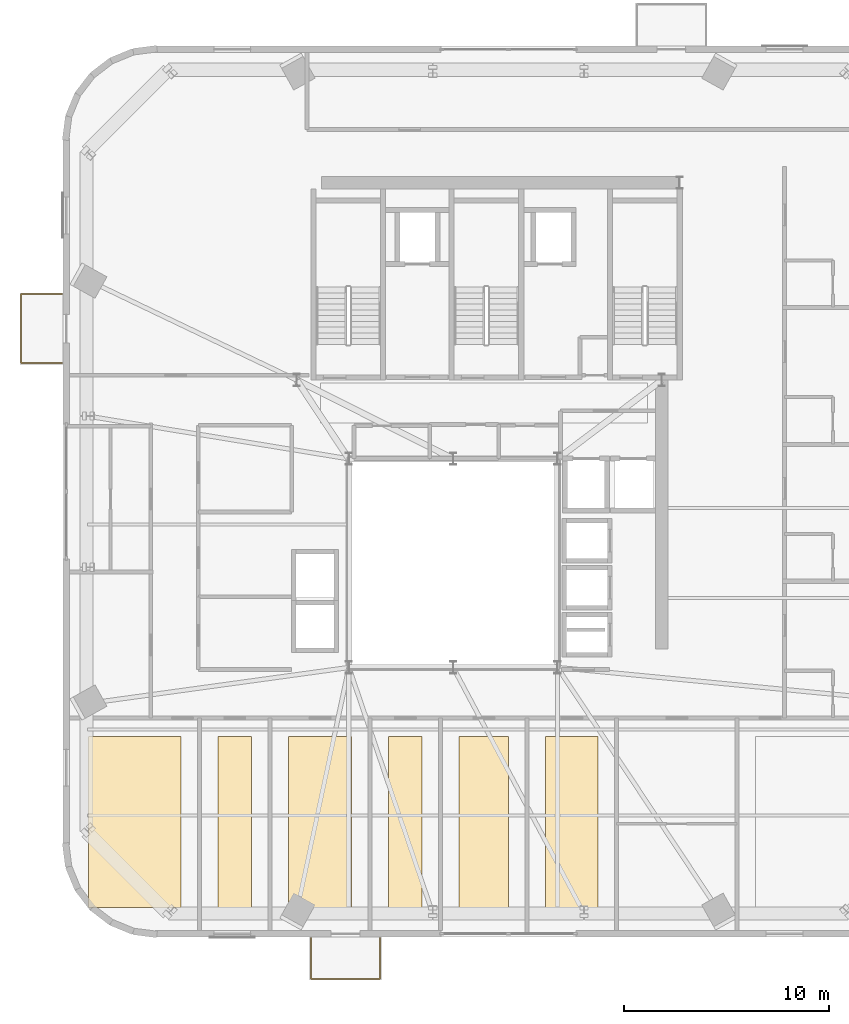
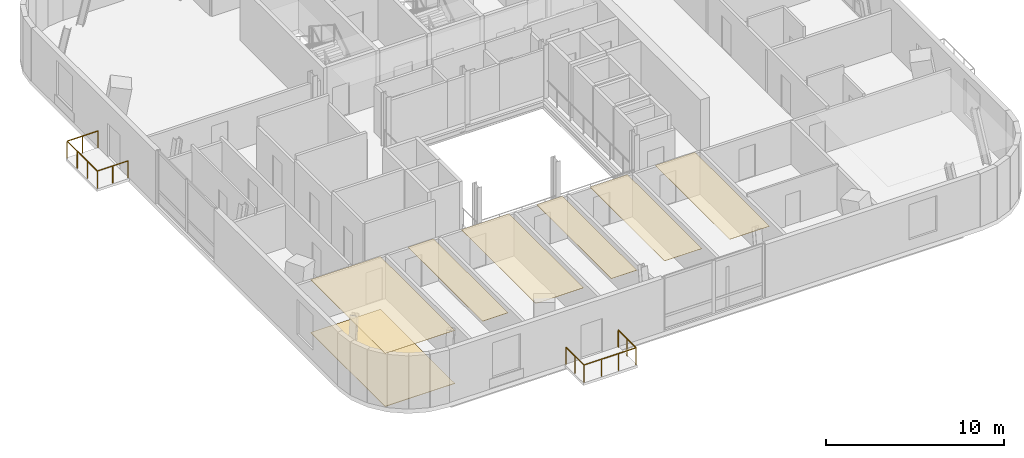
# One storey, part 11 of 14: 7 coverings, 2 railings.
"""IFC4 building model written with IfcOpenShell, lengths in metres."""

from ifc_helpers import new_model, si_unit, direction, frame, origin, origin_2d, place, context, subcontext, project, spatial, polyline, rectangle, outline, extrude, source, transform, mapped, material, layer, layer_set, type_object, element, save


model = new_model("IFC4")

# Units and contexts
model_context = context("Model", 3, precision=1e-05, world=origin(), true_north=direction((0.0, 1.0)))
body_context = subcontext(model_context, "Body", "Model", "MODEL_VIEW")
ifc_project = project(units=[si_unit("LENGTHUNIT", "METRE"), si_unit("AREAUNIT", "SQUARE_METRE"), si_unit("VOLUMEUNIT", "CUBIC_METRE"), si_unit("PLANEANGLEUNIT", "RADIAN"), si_unit("MASSUNIT", "GRAM", prefix="KILO")], contexts=[model_context])

# Site, building, storey
site_placement = place(None, origin())
site = spatial("IfcSite", under=ifc_project, at=site_placement, CompositionType="ELEMENT")
building_placement = place(site_placement, origin())
building = spatial("IfcBuilding", under=site, at=building_placement, Name="Vardaveli Station Tower", CompositionType="ELEMENT")
storey_placement = place(building_placement, frame((0.0, 0.0, 266.39990234375)))
storey = spatial("IfcBuildingStorey", under=building, at=storey_placement, Name="L68", CompositionType="ELEMENT", Elevation=266.39990234375)

# Coverings
ifc_material_1 = material(Name="Perforated acoustic mineral ceiling")
ifc_layer_1 = layer(ifc_material_1, 0.02001953125, Name="Perforated acoustic mineral ceiling")
ifc_layer_set_1 = layer_set([ifc_layer_1], Name="Perforated acoustic mineral ceiling")
covering_type_1 = type_object("IfcCoveringType", Name="COV-CEIL-AC20", PredefinedType="CEILING", material=ifc_layer_set_1)
covering_1_placement = place(storey_placement, frame((0.0, 0.0, 3.635009765625)))
element("IfcCovering", 1, at=covering_1_placement, inside=storey, type_object=covering_type_1, Name="CEIL-L68-1", PredefinedType="CEILING", context=body_context, shape_type="SweptSolid", body=[
    extrude(outline(polyline([(18.469970703125, 4.8701171875), (22.989990234375, 4.8701171875), (22.989990234375, 13.22998046875), (18.469970703125, 13.22998046875), (18.469970703125, 4.8701171875)])), origin(), (0.0, 0.0, 1.0), 0.02001953125),
])
covering_2_placement = place(storey_placement, frame((0.0, 0.0, 3.635009765625)))
element("IfcCovering", 2, at=covering_2_placement, inside=storey, type_object=covering_type_1, Name="CEIL-L68-2", PredefinedType="CEILING", context=body_context, shape_type="SweptSolid", body=[
    extrude(outline(polyline([(24.7900390625, 4.8701171875), (26.43994140625, 4.8701171875), (26.43994140625, 13.22998046875), (24.7900390625, 13.22998046875), (24.7900390625, 4.8701171875)])), origin(), (0.0, 0.0, 1.0), 0.02001953125),
])
covering_3_placement = place(storey_placement, frame((0.0, 0.0, 3.635009765625)))
element("IfcCovering", 3, at=covering_3_placement, inside=storey, type_object=covering_type_1, Name="CEIL-L68-3", PredefinedType="CEILING", context=body_context, shape_type="SweptSolid", body=[
    extrude(outline(polyline([(28.239990234375, 4.8701171875), (31.33251953125, 4.8701171875), (31.33251953125, 13.22998046875), (28.239990234375, 13.22998046875), (28.239990234375, 4.8701171875)])), origin(), (0.0, 0.0, 1.0), 0.02001953125),
])
covering_4_placement = place(storey_placement, frame((0.0, 0.0, 3.635009765625)))
element("IfcCovering", 4, at=covering_4_placement, inside=storey, type_object=covering_type_1, Name="CEIL-L68-4", PredefinedType="CEILING", context=body_context, shape_type="SweptSolid", body=[
    extrude(outline(polyline([(33.132568359375, 4.8701171875), (34.782470703125, 4.8701171875), (34.782470703125, 13.22998046875), (33.132568359375, 13.22998046875), (33.132568359375, 4.8701171875)])), origin(), (0.0, 0.0, 1.0), 0.02001953125),
])
covering_5_placement = place(storey_placement, frame((0.0, 0.0, 3.635009765625)))
element("IfcCovering", 5, at=covering_5_placement, inside=storey, type_object=covering_type_1, Name="CEIL-L68-5", PredefinedType="CEILING", context=body_context, shape_type="SweptSolid", body=[
    extrude(outline(polyline([(36.58251953125, 4.8701171875), (39.010009765625, 4.8701171875), (39.010009765625, 13.22998046875), (36.58251953125, 13.22998046875), (36.58251953125, 4.8701171875)])), origin(), (0.0, 0.0, 1.0), 0.02001953125),
])
covering_6_placement = place(storey_placement, frame((0.0, 0.0, 3.635009765625)))
element("IfcCovering", 6, at=covering_6_placement, inside=storey, type_object=covering_type_1, Name="CEIL-L68-6", PredefinedType="CEILING", context=body_context, shape_type="SweptSolid", body=[
    extrude(outline(polyline([(40.81005859375, 4.8701171875), (43.389892578125, 4.8701171875), (43.389892578125, 13.22998046875), (40.81005859375, 13.22998046875), (40.81005859375, 4.8701171875)])), origin(), (0.0, 0.0, 1.0), 0.02001953125),
])
ifc_material_2 = material(Name="Honed Caucasian basalt and travertine flooring", Category="masonry")
ifc_layer_2 = layer(ifc_material_2, 0.030029296875, Name="Honed Caucasian basalt and travertine flooring")
ifc_layer_set_2 = layer_set([ifc_layer_2], Name="Honed Caucasian basalt and travertine flooring")
covering_type_2 = type_object("IfcCoveringType", Name="COV-FLOOR-ST30", PredefinedType="FLOORING", material=ifc_layer_set_2)
covering_7_placement = place(storey_placement, origin())
element("IfcCovering", 7, at=covering_7_placement, inside=storey, type_object=covering_type_2, Name="FLR-L68-1", PredefinedType="FLOORING", context=body_context, shape_type="SweptSolid", body=[
    extrude(outline(polyline([(18.469970703125, 4.8701171875), (22.989990234375, 4.8701171875), (22.989990234375, 13.22998046875), (18.469970703125, 13.22998046875), (18.469970703125, 4.8701171875)])), origin(), (0.0, 0.0, 1.0), 0.030029296875),
])

# Railings
ifc_material_3 = material(Name="Laminated glass and stainless steel balustrade", Category="steel")
railing_type = type_object("IfcRailingType", Name="RL-BAL-1200", PredefinedType="BALUSTRADE", material=ifc_material_3)
shared_shape_1 = source(origin(), body_context, "Body", "SweptSolid", [
    extrude(rectangle(XDim=0.048095703125, YDim=0.048095703125, at=origin_2d()), frame((0.0, 0.0, 1.17578125), z_axis=(0.0, -1.0, 0.0), x_axis=(1.0, 0.0, 0.0)), (0.0, 0.0, 1.0), 2.0),
    extrude(rectangle(XDim=0.048095703125, YDim=0.048095703125, at=origin_2d()), frame((0.0, -2.0, 1.17578125), z_axis=(1.0, 0.0, 0.0), x_axis=(0.0, 1.0, 0.0)), (0.0, 0.0, 1.0), 3.3798828125),
    extrude(rectangle(XDim=0.048095703125, YDim=0.048095703125, at=origin_2d()), frame((3.3798828125, -2.0, 1.17578125), z_axis=(0.0, 1.0, 0.0), x_axis=(-1.0, 0.0, 0.0)), (0.0, 0.0, 1.0), 2.0),
    extrude(rectangle(XDim=0.0419921875, YDim=0.0419921875, at=origin_2d()), origin(), (0.0, 0.0, 1.0), 1.15185546875),
    extrude(rectangle(XDim=0.0419921875, YDim=0.0419921875, at=origin_2d()), frame((0.0, -1.0, 0.0)), (0.0, 0.0, 1.0), 1.15185546875),
    extrude(rectangle(XDim=0.0419921875, YDim=0.0419921875, at=origin_2d()), frame((0.0, -2.0, 0.0)), (0.0, 0.0, 1.0), 1.15185546875),
    extrude(rectangle(XDim=0.0419921875, YDim=0.0419921875, at=origin_2d()), frame((1.126708984375, -2.0, 0.0)), (0.0, 0.0, 1.0), 1.15185546875),
    extrude(rectangle(XDim=0.0419921875, YDim=0.0419921875, at=origin_2d()), frame((2.253173828125, -2.0, 0.0)), (0.0, 0.0, 1.0), 1.15185546875),
    extrude(rectangle(XDim=0.0419921875, YDim=0.0419921875, at=origin_2d()), frame((3.3798828125, -2.0, 0.0)), (0.0, 0.0, 1.0), 1.15185546875),
    extrude(rectangle(XDim=0.0419921875, YDim=0.0419921875, at=origin_2d()), frame((3.3798828125, -1.0, 0.0)), (0.0, 0.0, 1.0), 1.15185546875),
    extrude(rectangle(XDim=0.0419921875, YDim=0.0419921875, at=origin_2d()), frame((3.3798828125, 0.0, 0.0)), (0.0, 0.0, 1.0), 1.15185546875),
])
railing_1_placement = place(storey_placement, frame((29.342529296875, 3.3798828125, 0.0)))
element("IfcRailing", 8, at=railing_1_placement, inside=storey, type_object=railing_type, Name="RL-LOG-L68-01", PredefinedType="BALUSTRADE", context=body_context, shape_type="MappedRepresentation", body=[
    mapped(shared_shape_1, transform((0.0, 0.0, 0.0), scale=1.0)),
])
shared_shape_2 = source(origin(), body_context, "Body", "SweptSolid", [
    extrude(rectangle(XDim=0.048095703125, YDim=0.048095703125, at=origin_2d()), frame((0.0, 0.0, 1.17578125), z_axis=(-1.0, 0.0, 0.0), x_axis=(0.0, -1.0, 0.0)), (0.0, 0.0, 1.0), 2.0),
    extrude(rectangle(XDim=0.048095703125, YDim=0.048095703125, at=origin_2d()), frame((-2.0, 0.0, 1.17578125), z_axis=(0.0, 1.0, 0.0), x_axis=(-1.0, 0.0, 0.0)), (0.0, 0.0, 1.0), 3.3798828125),
    extrude(rectangle(XDim=0.048095703125, YDim=0.048095703125, at=origin_2d()), frame((-2.0, 3.3798828125, 1.17578125), z_axis=(1.0, 0.0, 0.0), x_axis=(0.0, 1.0, 0.0)), (0.0, 0.0, 1.0), 2.0),
    extrude(rectangle(XDim=0.0419921875, YDim=0.0419921875, at=origin_2d()), origin(), (0.0, 0.0, 1.0), 1.15185546875),
    extrude(rectangle(XDim=0.0419921875, YDim=0.0419921875, at=origin_2d()), frame((-1.0, 0.0, 0.0)), (0.0, 0.0, 1.0), 1.15185546875),
    extrude(rectangle(XDim=0.0419921875, YDim=0.0419921875, at=origin_2d()), frame((-2.0, 0.0, 0.0)), (0.0, 0.0, 1.0), 1.15185546875),
    extrude(rectangle(XDim=0.0419921875, YDim=0.0419921875, at=origin_2d()), frame((-2.0, 1.126708984375, 0.0)), (0.0, 0.0, 1.0), 1.15185546875),
    extrude(rectangle(XDim=0.0419921875, YDim=0.0419921875, at=origin_2d()), frame((-2.0, 2.253173828125, 0.0)), (0.0, 0.0, 1.0), 1.15185546875),
    extrude(rectangle(XDim=0.0419921875, YDim=0.0419921875, at=origin_2d()), frame((-2.0, 3.3798828125, 0.0)), (0.0, 0.0, 1.0), 1.15185546875),
    extrude(rectangle(XDim=0.0419921875, YDim=0.0419921875, at=origin_2d()), frame((-1.0, 3.3798828125, 0.0)), (0.0, 0.0, 1.0), 1.15185546875),
    extrude(rectangle(XDim=0.0419921875, YDim=0.0419921875, at=origin_2d()), frame((0.0, 3.3798828125, 0.0)), (0.0, 0.0, 1.0), 1.15185546875),
])
railing_2_placement = place(storey_placement, frame((17.179931640625, 31.4775390625, 0.0)))
element("IfcRailing", 9, at=railing_2_placement, inside=storey, type_object=railing_type, Name="RL-LOG-L68-03", PredefinedType="BALUSTRADE", context=body_context, shape_type="MappedRepresentation", body=[
    mapped(shared_shape_2, transform((0.0, 0.0, 0.0), scale=1.0)),
])

save(model, "model.ifc")
